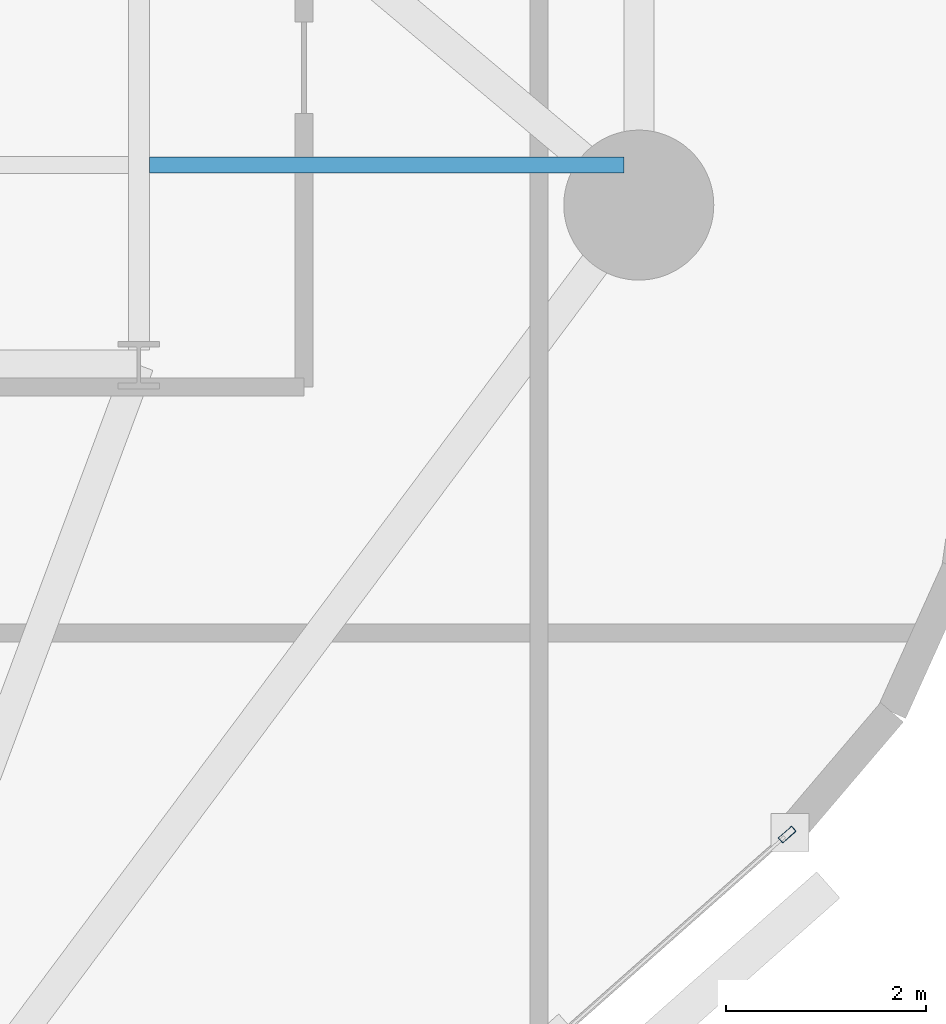
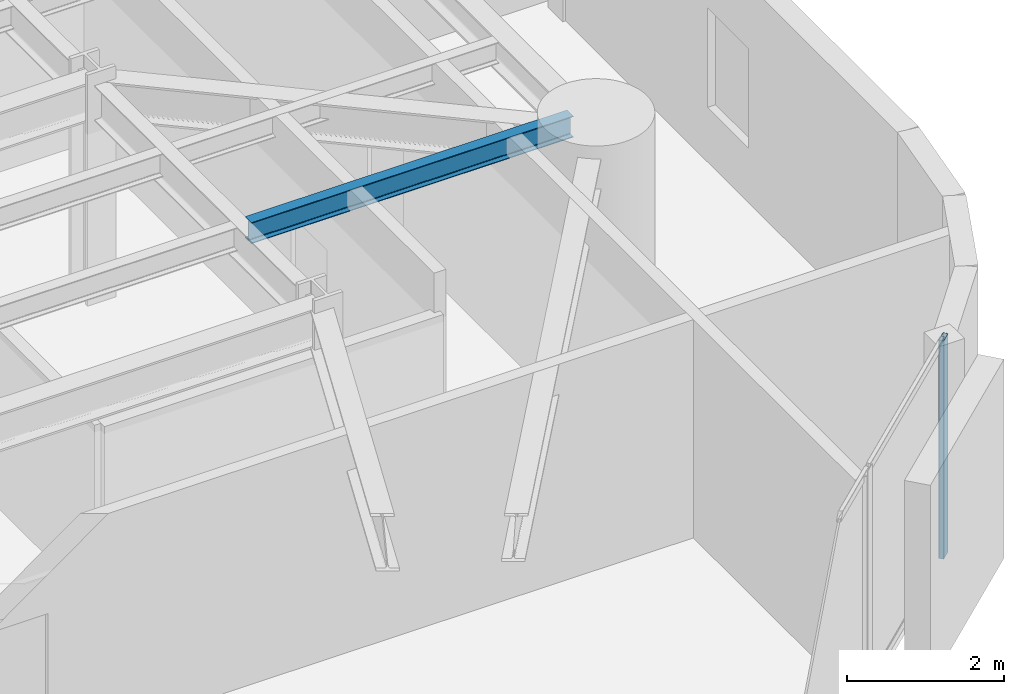
# One storey, part 4 of 16: 1 beam, 1 member, 1 element without a shape of its own.
"""IFC4 building model written with IfcOpenShell, lengths in metres."""

from ifc_helpers import new_model, si_unit, direction, frame, origin, origin_2d, place, context, subcontext, project, spatial, hollow_rectangle, i_section, extrude, material, layer, layer_set, material_profile, profile_set, type_object, element, aggregate, save


model = new_model("IFC4")

# Units and contexts
model_context = context("Model", 3, precision=1e-05, world=origin(), true_north=direction((0.0, 1.0)))
body_context = subcontext(model_context, "Body", "Model", "MODEL_VIEW")
ifc_project = project(units=[si_unit("LENGTHUNIT", "METRE"), si_unit("AREAUNIT", "SQUARE_METRE"), si_unit("VOLUMEUNIT", "CUBIC_METRE"), si_unit("PLANEANGLEUNIT", "RADIAN"), si_unit("MASSUNIT", "GRAM", prefix="KILO")], contexts=[model_context])

# Site, building, storey
site_placement = place(None, origin())
site = spatial("IfcSite", under=ifc_project, at=site_placement, CompositionType="ELEMENT")
building_placement = place(site_placement, origin())
building = spatial("IfcBuilding", under=site, at=building_placement, Name="An Khanh Terracotta Commons", CompositionType="ELEMENT")
storey_placement = place(building_placement, frame((0.0, 0.0, 68.39990234375)))
storey = spatial("IfcBuildingStorey", under=building, at=storey_placement, Name="L18", CompositionType="ELEMENT", Elevation=68.39990234375)

# Beam
ifc_material_1 = material(Name="Steel S355J2", Category="steel")
ifc_material_profile_1 = material_profile(ifc_material_1, i_section(OverallWidth=0.159912109375, OverallDepth=0.330078125, WebThickness=0.007568359375, FlangeThickness=0.011474609375, FilletRadius=0.01806640625, at=origin_2d()), Name="IPE330")
ifc_profile_set_1 = profile_set([ifc_material_profile_1], Name="Steel S355J2")
beam_type = type_object("IfcBeamType", Name="BM-IPE330", PredefinedType="JOIST", material=ifc_profile_set_1)
beam_placement = place(storey_placement, frame((43.304931640625, 16.39990234375, 3.235107421875), z_axis=(1.0, 0.0, 0.0), x_axis=(0.0, 1.0, 0.0)))
element("IfcBeam", 1, at=beam_placement, inside=storey, type_object=beam_type, Name="L18 Riverfront Composite Joist 1", PredefinedType="JOIST", context=body_context, shape_type="SweptSolid", body=[
    extrude(i_section(OverallWidth=0.159912109375, OverallDepth=0.330078125, WebThickness=0.007568359375, FlangeThickness=0.011474609375, FilletRadius=0.01806640625, at=origin_2d()), origin(), (0.0, 0.0, 1.0), 4.7451171875),
])

# Curtain wall, member
ifc_material_2 = material(Name="Anodised Aluminium 6063-T6", Category="aluminium")
ifc_layer = layer(ifc_material_2, 0.199951171875, Name="Anodised Aluminium 6063-T6")
ifc_layer_set = layer_set([ifc_layer], Name="Anodised Aluminium 6063-T6")
curtain_wall_type = type_object("IfcCurtainWallType", Name="CW-SYS-02", PredefinedType="USERDEFINED", material=ifc_layer_set)
curtain_wall_placement = place(storey_placement, origin())
curtain_wall = element("IfcCurtainWall", 2, at=curtain_wall_placement, inside=storey, type_object=curtain_wall_type, Name="L18 CW-02 Unitised Curtain Wall CW-L18-08", ObjectType="UNITISED CURTAIN WALL", PredefinedType="USERDEFINED")
ifc_material_profile_2 = material_profile(ifc_material_2, hollow_rectangle(XDim=0.070068359375, YDim=0.179931640625, WallThickness=0.00390625, InnerFilletRadius=0.00390625, OuterFilletRadius=0.008056640625, at=origin_2d()), Name="RHS180x70x4")
ifc_profile_set_2 = profile_set([ifc_material_profile_2], Name="Anodised Aluminium 6063-T6")
member_type = type_object("IfcMemberType", Name="CWM-RHS180x70x4", PredefinedType="MULLION", material=ifc_profile_set_2)
member_placement = place(storey_placement, frame((49.683837890625, 9.704833984375, 0.0), z_axis=(0.0, 0.0, 1.0), x_axis=(-0.662548195415, 0.749019284633, 0.0)))
member = element("IfcMember", 3, at=member_placement, type_object=member_type, Name="CW-02 mullion 4", PredefinedType="MULLION", context=body_context, shape_type="SweptSolid", body=[
    extrude(hollow_rectangle(XDim=0.070068359375, YDim=0.179931640625, WallThickness=0.00390625, InnerFilletRadius=0.00390625, OuterFilletRadius=0.008056640625, at=origin_2d()), origin(), (0.0, 0.0, 1.0), 3.400146484375),
])
aggregate(curtain_wall, [member])

save(model, "model.ifc")
